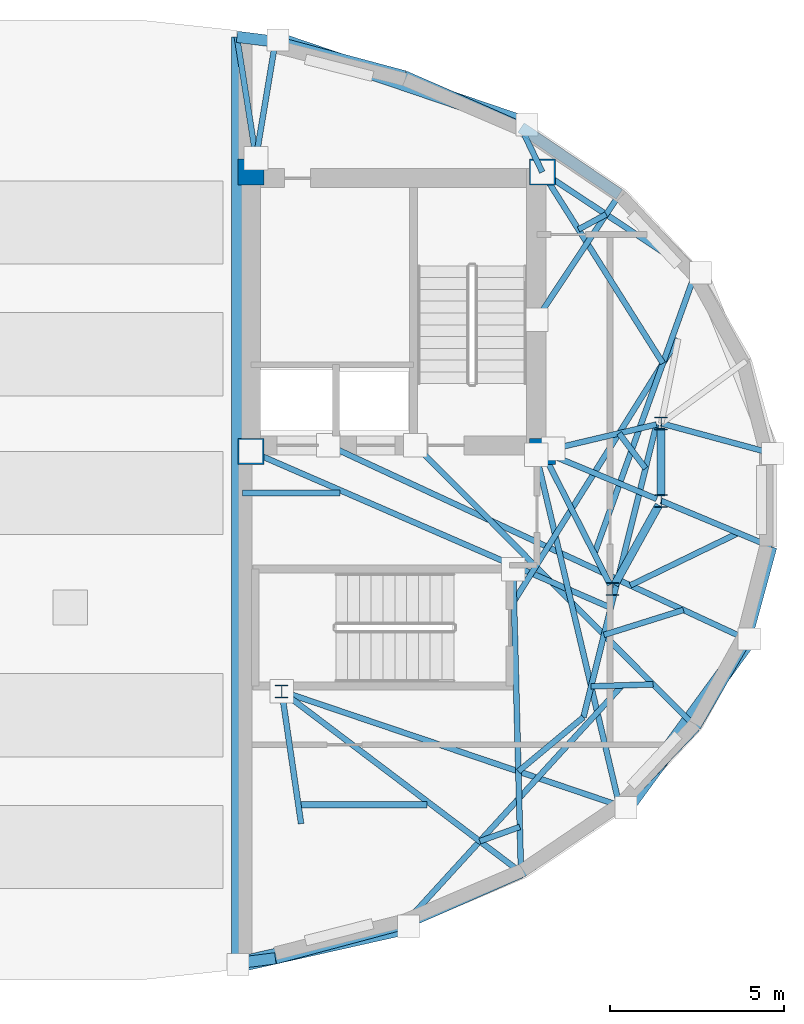
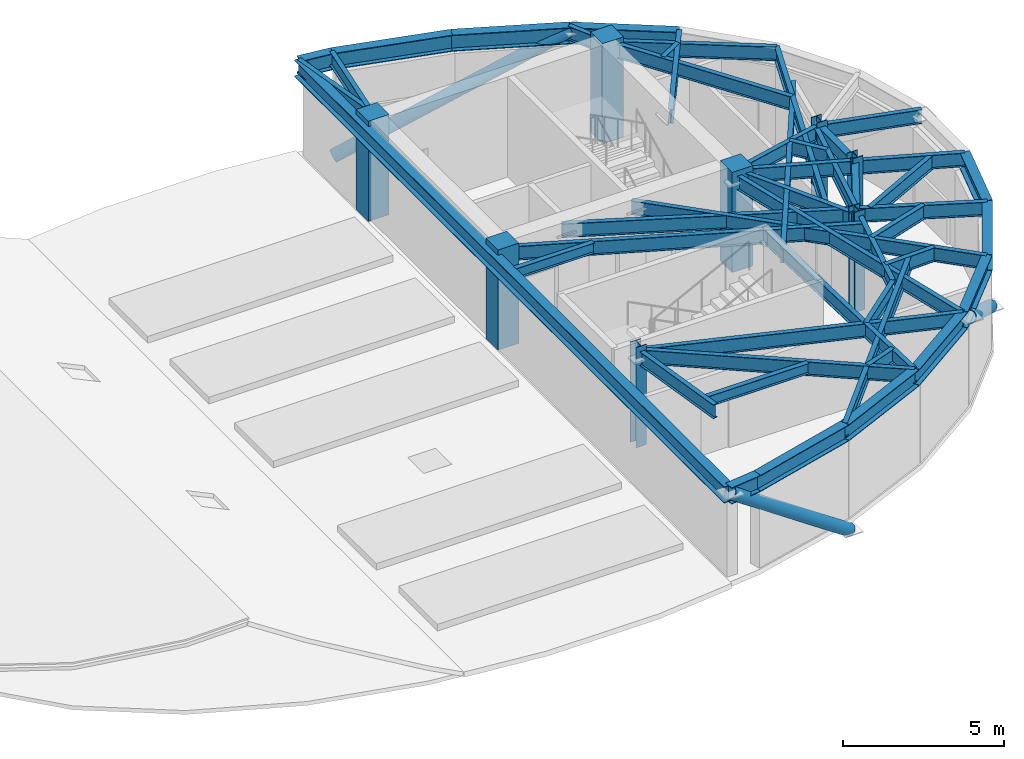
# One storey, part 1 of 5: 46 beams, 8 columns, 3 members.
"""IFC4 building model written with IfcOpenShell, lengths in metres."""

from ifc_helpers import new_model, si_unit, direction, frame, origin, origin_2d, place, context, subcontext, project, spatial, rectangle, hollow_circle, i_section, extrude, material, material_profile, profile_set, type_object, element, save


model = new_model("IFC4")

# Units and contexts
model_context = context("Model", 3, precision=1e-05, world=origin(), true_north=direction((0.0, 1.0)))
body_context = subcontext(model_context, "Body", "Model", "MODEL_VIEW")
ifc_project = project(units=[si_unit("LENGTHUNIT", "METRE"), si_unit("AREAUNIT", "SQUARE_METRE"), si_unit("VOLUMEUNIT", "CUBIC_METRE"), si_unit("PLANEANGLEUNIT", "RADIAN"), si_unit("MASSUNIT", "GRAM", prefix="KILO")], contexts=[model_context])

# Site, building, storey
site_placement = place(None, origin())
site = spatial("IfcSite", under=ifc_project, at=site_placement, CompositionType="ELEMENT")
building_placement = place(site_placement, origin())
building = spatial("IfcBuilding", under=site, at=building_placement, Name="Keldmark Tower", CompositionType="ELEMENT")
storey_placement = place(building_placement, frame((0.0, 0.0, 284.39990234375)))
storey = spatial("IfcBuildingStorey", under=building, at=storey_placement, Name="L80", CompositionType="ELEMENT", Elevation=284.39990234375)

# Columns
ifc_material_1 = material(Name="Concrete C50/60", Category="concrete")
ifc_material_profile_1 = material_profile(ifc_material_1, rectangle(XDim=0.75, YDim=0.75, at=origin_2d()), Name="RC750X750")
ifc_profile_set_1 = profile_set([ifc_material_profile_1], Name="Concrete C50/60")
column_type_1 = type_object("IfcColumnType", Name="Core Boundary Column RC750", PredefinedType="PILASTER", material=ifc_profile_set_1)
for number, where, z_axis, x_axis, name in (
    (1, (5.199951171875, 1.39990234375, 0.0), (0.0, 0.0, 1.0), (1.0, 0.0, 0.0), "L80 Core Boundary Column CC-E1"),
    (2, (5.199951171875, 9.449951171875, 0.0), (0.0, 0.0, 1.0), (1.0, 0.0, 0.0), "L80 Core Boundary Column CC-E2"),
    (3, (13.60009765625, 1.39990234375, 0.0), (0.0, 0.0, 1.0), (1.0, 0.0, 0.0), "L80 Core Boundary Column CC-E3"),
    (4, (13.60009765625, 9.449951171875, 0.0), (0.0, 0.0, 1.0), (1.0, 0.0, 0.0), "L80 Core Boundary Column CC-E4"),
):
    element("IfcColumn", number, at=place(storey_placement, frame(where, z_axis=z_axis, x_axis=x_axis)), inside=storey, type_object=column_type_1, Name=name, PredefinedType="PILASTER", context=body_context, shape_type="SweptSolid", body=[
        extrude(rectangle(XDim=0.75, YDim=0.75, at=origin_2d()), origin(), (0.0, 0.0, 1.0), 3.800048828125),
    ])
ifc_material_2 = material(Name="Steel ASTM A992 Grade 50", Category="steel")
ifc_material_profile_2 = material_profile(ifc_material_2, i_section(OverallWidth=0.3740234375, OverallDepth=0.3720703125, WebThickness=0.016357421875, FlangeThickness=0.026123046875, at=origin_2d()), Name="W14X132")
ifc_profile_set_2 = profile_set([ifc_material_profile_2], Name="Steel ASTM A992 Grade 50")
column_type_2 = type_object("IfcColumnType", Name="Tower Gravity Column W14X132", PredefinedType="COLUMN", material=ifc_profile_set_2)
for number, where, z_axis, x_axis, name in (
    (5, (17.025634765625, 2.2080078125, 0.0), (0.0, 0.0, 1.0), (1.0, 0.0, 0.0), "L80 Tower Gravity Column TC-E1"),
    (6, (6.089599609375, -5.512939453125, 0.0), (0.0, 0.0, 1.0), (1.0, 0.0, 0.0), "L80 Tower Gravity Column TC-E3"),
    (7, (15.6162109375, -2.5673828125, 0.0), (0.0, 0.0, 1.0), (1.0, 0.0, 0.0), "L80 Tower Gravity Column TC-E2"),
    (8, (17.025634765625, -0.02392578125, 0.0), (0.0, 0.0, 1.0), (1.0, 0.0, 0.0), "L80 Tower Gravity Column TC-E5"),
):
    element("IfcColumn", number, at=place(storey_placement, frame(where, z_axis=z_axis, x_axis=x_axis)), inside=storey, type_object=column_type_2, Name=name, PredefinedType="COLUMN", context=body_context, shape_type="SweptSolid", body=[
        extrude(i_section(OverallWidth=0.3740234375, OverallDepth=0.3720703125, WebThickness=0.016357421875, FlangeThickness=0.026123046875, at=origin_2d()), origin(), (0.0, 0.0, 1.0), 3.800048828125),
    ])

# Beams
ifc_material_3 = material(Name="Steel ASTM A992 Grade 50", Category="steel")
ifc_material_profile_3 = material_profile(ifc_material_3, i_section(OverallWidth=0.177978515625, OverallDepth=0.403076171875, WebThickness=0.007568359375, FlangeThickness=0.010986328125, at=origin_2d()), Name="W16X36")
ifc_profile_set_3 = profile_set([ifc_material_profile_3], Name="Steel ASTM A992 Grade 50")
beam_type_1 = type_object("IfcBeamType", Name="Composite Floor Joist W16X36", PredefinedType="JOIST", material=ifc_profile_set_3)
beam_1_placement = place(storey_placement, frame((6.644775390625, -8.780029296875, 3.398681640625), z_axis=(1.0, 0.0, 0.0), x_axis=(0.0, 1.0, 0.0)))
element("IfcBeam", 9, at=beam_1_placement, inside=storey, type_object=beam_type_1, Name="L80 Composite Floor Joist J01", PredefinedType="JOIST", context=body_context, shape_type="SweptSolid", body=[
    extrude(i_section(OverallWidth=0.177978515625, OverallDepth=0.403076171875, WebThickness=0.007568359375, FlangeThickness=0.010986328125, at=origin_2d()), origin(), (0.0, 0.0, 1.0), 3.634033203125),
])
beam_2_placement = place(storey_placement, frame((4.95458984375, 0.199951171875, 3.398681640625), z_axis=(1.0, 0.0, 0.0), x_axis=(0.0, 1.0, 0.0)))
element("IfcBeam", 10, at=beam_2_placement, inside=storey, type_object=beam_type_1, Name="L80 Composite Floor Joist J02", PredefinedType="JOIST", context=body_context, shape_type="SweptSolid", body=[
    extrude(i_section(OverallWidth=0.177978515625, OverallDepth=0.403076171875, WebThickness=0.007568359375, FlangeThickness=0.010986328125, at=origin_2d()), origin(), (0.0, 0.0, 1.0), 2.81201171875),
])

# Members
ifc_material_4 = material(Name="Steel ASTM A572 Grade 50", Category="steel")
ifc_material_profile_4 = material_profile(ifc_material_4, hollow_circle(Radius=0.22509765625, WallThickness=0.02197265625, at=origin_2d()), Name="CHS450X22")
ifc_profile_set_4 = profile_set([ifc_material_profile_4], Name="Steel ASTM A572 Grade 50")
member_type = type_object("IfcMemberType", Name="Crown Frame Brace CHS450X22", PredefinedType="USERDEFINED", material=ifc_profile_set_4)
member_1_placement = place(storey_placement, frame((5.980224609375, 13.25341796875, -0.449951171875), z_axis=(0.846450877369, -0.287648783004, 0.448083797784), x_axis=(0.321757828293, 0.946822000131, 0.0)))
element("IfcMember", 11, at=member_1_placement, inside=storey, type_object=member_type, Name="L80 Crown Frame Diagonal E00", ObjectType="CROWN FRAME", PredefinedType="USERDEFINED", context=body_context, shape_type="SweptSolid", body=[
    extrude(hollow_circle(Radius=0.22509765625, WallThickness=0.02197265625, at=origin_2d()), origin(), (0.0, 0.0, 1.0), 8.480712890625),
])
member_2_placement = place(storey_placement, frame((19.566650390625, -4.00341796875, -0.449951171875), z_axis=(-0.498767023206, -0.682954584123, 0.533670771719), x_axis=(0.807568620979, -0.589773619629, 0.0)))
element("IfcMember", 12, at=member_2_placement, inside=storey, type_object=member_type, Name="L80 Crown Frame Diagonal E08", ObjectType="CROWN FRAME", PredefinedType="USERDEFINED", context=body_context, shape_type="SweptSolid", body=[
    extrude(hollow_circle(Radius=0.22509765625, WallThickness=0.02197265625, at=origin_2d()), origin(), (0.0, 0.0, 1.0), 7.12060546875),
])
member_3_placement = place(storey_placement, frame((9.744140625, -12.28564453125, -0.449951171875), z_axis=(-0.778713754743, -0.174995769221, 0.602479351455), x_axis=(0.219255997522, -0.975667365218, 0.0)))
element("IfcMember", 13, at=member_3_placement, inside=storey, type_object=member_type, Name="L80 Crown Frame Diagonal E12", ObjectType="CROWN FRAME", PredefinedType="USERDEFINED", context=body_context, shape_type="SweptSolid", body=[
    extrude(hollow_circle(Radius=0.22509765625, WallThickness=0.02197265625, at=origin_2d()), origin(), (0.0, 0.0, 1.0), 6.307373046875),
])

# Beams
ifc_material_5 = material(Name="Steel ASTM A992 Grade 50", Category="steel")
ifc_material_profile_5 = material_profile(ifc_material_5, i_section(OverallWidth=0.22802734375, OverallDepth=0.60302734375, WebThickness=0.010498046875, FlangeThickness=0.014892578125, at=origin_2d()), Name="W24X68")
ifc_profile_set_5 = profile_set([ifc_material_profile_5], Name="Steel ASTM A992 Grade 50")
beam_type_2 = type_object("IfcBeamType", Name="Primary Floor Girder W24X68", PredefinedType="BEAM", material=ifc_profile_set_5)
beam_3_placement = place(storey_placement, frame((15.68408203125, -2.44482421875, 3.298583984375), z_axis=(0.484719680408, 0.874669555561, 0.0), x_axis=(-0.874669555561, 0.484719680408, 0.0)))
element("IfcBeam", 14, at=beam_3_placement, inside=storey, type_object=beam_type_2, Name="L80 Floor Ring Girder FG-R03", PredefinedType="BEAM", context=body_context, shape_type="SweptSolid", body=[
    extrude(i_section(OverallWidth=0.22802734375, OverallDepth=0.60302734375, WebThickness=0.010498046875, FlangeThickness=0.014892578125, at=origin_2d()), origin(), (0.0, 0.0, 1.0), 2.627685546875),
])
beam_4_placement = place(storey_placement, frame((17.025634765625, 0.115966796875, 3.298583984375), z_axis=(0.0, 1.0, 0.0), x_axis=(-1.0, 0.0, 0.0)))
element("IfcBeam", 15, at=beam_4_placement, inside=storey, type_object=beam_type_2, Name="L80 Floor Ring Girder FG-R04", PredefinedType="BEAM", context=body_context, shape_type="SweptSolid", body=[
    extrude(i_section(OverallWidth=0.22802734375, OverallDepth=0.60302734375, WebThickness=0.010498046875, FlangeThickness=0.014892578125, at=origin_2d()), origin(), (0.0, 0.0, 1.0), 1.9521484375),
])
ifc_material_6 = material(Name="Steel ASTM A992 Grade 50", Category="steel")
ifc_material_profile_6 = material_profile(ifc_material_6, i_section(OverallWidth=0.166015625, OverallDepth=0.529052734375, WebThickness=0.009765625, FlangeThickness=0.013671875, at=origin_2d()), Name="W21X50")
ifc_profile_set_6 = profile_set([ifc_material_profile_6], Name="Steel ASTM A992 Grade 50")
beam_type_3 = type_object("IfcBeamType", Name="Radial Tie Girder W21X50", PredefinedType="BEAM", material=ifc_profile_set_6)
beam_5_placement = place(storey_placement, frame((16.889404296875, 2.17578125, 3.335693359375), z_axis=(-0.97329039005, -0.229577474147, 0.0), x_axis=(0.229577474147, -0.97329039005, 0.0)))
element("IfcBeam", 16, at=beam_5_placement, inside=storey, type_object=beam_type_3, Name="L80 Floor Radial Girder FG-C01", PredefinedType="BEAM", context=body_context, shape_type="SweptSolid", body=[
    extrude(i_section(OverallWidth=0.166015625, OverallDepth=0.529052734375, WebThickness=0.009765625, FlangeThickness=0.013671875, at=origin_2d()), origin(), (0.0, 0.0, 1.0), 3.0595703125),
])
beam_6_placement = place(storey_placement, frame((15.552734375, -2.442626953125, 3.335693359375), z_axis=(-0.453004410574, 0.89150827478, 0.0), x_axis=(-0.89150827478, -0.453004410574, 0.0)))
element("IfcBeam", 17, at=beam_6_placement, inside=storey, type_object=beam_type_3, Name="L80 Floor Radial Girder FG-C11", PredefinedType="BEAM", context=body_context, shape_type="SweptSolid", body=[
    extrude(i_section(OverallWidth=0.166015625, OverallDepth=0.529052734375, WebThickness=0.009765625, FlangeThickness=0.013671875, at=origin_2d()), origin(), (0.0, 0.0, 1.0), 3.990234375),
])
beam_7_placement = place(storey_placement, frame((16.896240234375, 0.02978515625, 3.335693359375), z_axis=(-0.923403331902, 0.383831065226, 0.0), x_axis=(-0.383831065226, -0.923403331902, 0.0)))
element("IfcBeam", 18, at=beam_7_placement, inside=storey, type_object=beam_type_3, Name="L80 Floor Radial Girder FG-C12", PredefinedType="BEAM", context=body_context, shape_type="SweptSolid", body=[
    extrude(i_section(OverallWidth=0.166015625, OverallDepth=0.529052734375, WebThickness=0.009765625, FlangeThickness=0.013671875, at=origin_2d()), origin(), (0.0, 0.0, 1.0), 3.249755859375),
])
beam_8_placement = place(storey_placement, frame((5.199951171875, 1.39990234375, 3.335693359375), z_axis=(0.917205574397, -0.398414274714, 0.0), x_axis=(0.398414274714, 0.917205574397, 0.0)))
element("IfcBeam", 19, at=beam_8_placement, inside=storey, type_object=beam_type_3, Name="L80 Framing Pin Header PH-001", PredefinedType="BEAM", context=body_context, shape_type="SweptSolid", body=[
    extrude(i_section(OverallWidth=0.166015625, OverallDepth=0.529052734375, WebThickness=0.009765625, FlangeThickness=0.013671875, at=origin_2d()), origin(), (0.0, 0.0, 1.0), 11.308837890625),
])
beam_9_placement = place(storey_placement, frame((16.889404296875, 2.17578125, 3.335693359375), z_axis=(-0.241901242777, -0.97030087537, 0.0), x_axis=(0.97030087537, -0.241901242777, 0.0)))
element("IfcBeam", 20, at=beam_9_placement, inside=storey, type_object=beam_type_3, Name="L80 Sub-Ring Step Girder STP1-E07", PredefinedType="BEAM", context=body_context, shape_type="SweptSolid", body=[
    extrude(i_section(OverallWidth=0.166015625, OverallDepth=0.529052734375, WebThickness=0.009765625, FlangeThickness=0.013671875, at=origin_2d()), origin(), (0.0, 0.0, 1.0), 8.69384765625),
])
beam_10_placement = place(storey_placement, frame((16.573974609375, 0.91064453125, 3.335693359375), z_axis=(-0.601541793484, 0.79884133011, 0.0), x_axis=(-0.79884133011, -0.601541793484, 0.0)))
element("IfcBeam", 21, at=beam_10_placement, inside=storey, type_object=beam_type_3, Name="L80 Framing Pin Header PH-002", PredefinedType="BEAM", context=body_context, shape_type="SweptSolid", body=[
    extrude(i_section(OverallWidth=0.166015625, OverallDepth=0.529052734375, WebThickness=0.009765625, FlangeThickness=0.013671875, at=origin_2d()), origin(), (0.0, 0.0, 1.0), 1.265869140625),
])
beam_11_placement = place(storey_placement, frame((12.659912109375, -3.11328125, 3.335693359375), z_axis=(0.530658276736, 0.847585861923, 0.0), x_axis=(-0.847585861923, 0.530658276736, 0.0)))
element("IfcBeam", 22, at=beam_11_placement, inside=storey, type_object=beam_type_3, Name="L80 Intermediate Radial Step Girder CRT-E05M", PredefinedType="BEAM", context=body_context, shape_type="SweptSolid", body=[
    extrude(i_section(OverallWidth=0.166015625, OverallDepth=0.529052734375, WebThickness=0.009765625, FlangeThickness=0.013671875, at=origin_2d()), origin(), (0.0, 0.0, 1.0), 9.15087890625),
])
beam_12_placement = place(storey_placement, frame((13.60009765625, 9.449951171875, 3.335693359375), z_axis=(0.533490957867, -0.845805768409, 0.0), x_axis=(0.845805768409, 0.533490957867, 0.0)))
element("IfcBeam", 23, at=beam_12_placement, inside=storey, type_object=beam_type_3, Name="L80 Framing Pin Header PH-003", PredefinedType="BEAM", context=body_context, shape_type="SweptSolid", body=[
    extrude(i_section(OverallWidth=0.166015625, OverallDepth=0.529052734375, WebThickness=0.009765625, FlangeThickness=0.013671875, at=origin_2d()), origin(), (0.0, 0.0, 1.0), 6.514892578125),
])
beam_13_placement = place(storey_placement, frame((15.100830078125, -1.55322265625, 3.335693359375), z_axis=(0.338316746334, 0.941032294425, 0.0), x_axis=(-0.941032294425, 0.338316746334, 0.0)))
element("IfcBeam", 24, at=beam_13_placement, inside=storey, type_object=beam_type_3, Name="L80 Perimeter Radial Tie Girder CRT-E05", PredefinedType="BEAM", context=body_context, shape_type="SweptSolid", body=[
    extrude(i_section(OverallWidth=0.166015625, OverallDepth=0.529052734375, WebThickness=0.009765625, FlangeThickness=0.013671875, at=origin_2d()), origin(), (0.0, 0.0, 1.0), 8.58740234375),
])
beam_14_placement = place(storey_placement, frame((17.025634765625, 2.2080078125, 3.335693359375), z_axis=(0.965293092501, -0.261168998102, 0.0), x_axis=(0.261168998102, 0.965293092501, 0.0)))
element("IfcBeam", 25, at=beam_14_placement, inside=storey, type_object=beam_type_3, Name="L80 Perimeter Column Bracket CRT-E07", PredefinedType="BEAM", context=body_context, shape_type="SweptSolid", body=[
    extrude(i_section(OverallWidth=0.166015625, OverallDepth=0.529052734375, WebThickness=0.009765625, FlangeThickness=0.013671875, at=origin_2d()), origin(), (0.0, 0.0, 1.0), 3.28759765625),
])
beam_15_placement = place(storey_placement, frame((17.025634765625, -0.02392578125, 3.335693359375), z_axis=(0.922755270892, -0.385386442471, 0.0), x_axis=(0.385386442471, 0.922755270892, 0.0)))
element("IfcBeam", 26, at=beam_15_placement, inside=storey, type_object=beam_type_3, Name="L80 Perimeter Column Bracket CRT-E08", PredefinedType="BEAM", context=body_context, shape_type="SweptSolid", body=[
    extrude(i_section(OverallWidth=0.166015625, OverallDepth=0.529052734375, WebThickness=0.009765625, FlangeThickness=0.013671875, at=origin_2d()), origin(), (0.0, 0.0, 1.0), 3.439208984375),
])
beam_16_placement = place(storey_placement, frame((19.247314453125, -0.95166015625, 3.335693359375), z_axis=(-0.89973090598, -0.436445067362, 0.0), x_axis=(0.436445067362, -0.89973090598, 0.0)))
element("IfcBeam", 27, at=beam_16_placement, inside=storey, type_object=beam_type_3, Name="L80 Framing Pin Header PH-004", PredefinedType="BEAM", context=body_context, shape_type="SweptSolid", body=[
    extrude(i_section(OverallWidth=0.166015625, OverallDepth=0.529052734375, WebThickness=0.009765625, FlangeThickness=0.013671875, at=origin_2d()), origin(), (0.0, 0.0, 1.0), 3.45654296875),
])
beam_17_placement = place(storey_placement, frame((7.43212890625, 1.574951171875, 3.335693359375), z_axis=(0.907269010235, -0.420550761582, 0.0), x_axis=(0.420550761582, 0.907269010235, 0.0)))
element("IfcBeam", 28, at=beam_17_placement, inside=storey, type_object=beam_type_3, Name="L80 Perimeter Radial Tie Girder CRT-E09", PredefinedType="BEAM", context=body_context, shape_type="SweptSolid", body=[
    extrude(i_section(OverallWidth=0.166015625, OverallDepth=0.529052734375, WebThickness=0.009765625, FlangeThickness=0.013671875, at=origin_2d()), origin(), (0.0, 0.0, 1.0), 13.27197265625),
])
beam_18_placement = place(storey_placement, frame((17.667236328125, -3.16943359375, 3.335693359375), z_axis=(-0.954149906276, -0.299329177251, 0.0), x_axis=(0.299329177251, -0.954149906276, 0.0)))
element("IfcBeam", 29, at=beam_18_placement, inside=storey, type_object=beam_type_3, Name="L80 Framing Pin Header PH-005", PredefinedType="BEAM", context=body_context, shape_type="SweptSolid", body=[
    extrude(i_section(OverallWidth=0.166015625, OverallDepth=0.529052734375, WebThickness=0.009765625, FlangeThickness=0.013671875, at=origin_2d()), origin(), (0.0, 0.0, 1.0), 2.399658203125),
])
beam_19_placement = place(storey_placement, frame((9.939208984375, 1.574951171875, 3.335693359375), z_axis=(0.705535616728, -0.708674462308, 0.0), x_axis=(0.708674462308, 0.705535616728, 0.0)))
element("IfcBeam", 30, at=beam_19_placement, inside=storey, type_object=beam_type_3, Name="L80 Perimeter Radial Tie Girder CRT-E10", PredefinedType="BEAM", context=body_context, shape_type="SweptSolid", body=[
    extrude(i_section(OverallWidth=0.166015625, OverallDepth=0.529052734375, WebThickness=0.009765625, FlangeThickness=0.013671875, at=origin_2d()), origin(), (0.0, 0.0, 1.0), 11.433837890625),
])
beam_20_placement = place(storey_placement, frame((16.796142578125, -5.3125, 3.335693359375), z_axis=(-0.999463675377, -0.032746932709, 0.0), x_axis=(0.032746932709, -0.999463675377, 0.0)))
element("IfcBeam", 31, at=beam_20_placement, inside=storey, type_object=beam_type_3, Name="L80 Framing Pin Header PH-006", PredefinedType="BEAM", context=body_context, shape_type="SweptSolid", body=[
    extrude(i_section(OverallWidth=0.166015625, OverallDepth=0.529052734375, WebThickness=0.009765625, FlangeThickness=0.013671875, at=origin_2d()), origin(), (0.0, 0.0, 1.0), 1.789306640625),
])
beam_21_placement = place(storey_placement, frame((13.425048828125, 1.300048828125, 3.335693359375), z_axis=(0.230855797786, -0.972987975583, 0.0), x_axis=(0.972987975583, 0.230855797786, 0.0)))
element("IfcBeam", 32, at=beam_21_placement, inside=storey, type_object=beam_type_3, Name="L80 Perimeter Radial Tie Girder CRT-E11", PredefinedType="BEAM", context=body_context, shape_type="SweptSolid", body=[
    extrude(i_section(OverallWidth=0.166015625, OverallDepth=0.529052734375, WebThickness=0.009765625, FlangeThickness=0.013671875, at=origin_2d()), origin(), (0.0, 0.0, 1.0), 10.38818359375),
])
beam_22_placement = place(storey_placement, frame((18.006103515625, 6.52783203125, 3.335693359375), z_axis=(-0.833376416805, 0.55270584212, 0.0), x_axis=(-0.55270584212, -0.833376416805, 0.0)))
element("IfcBeam", 33, at=beam_22_placement, inside=storey, type_object=beam_type_3, Name="L80 Straddling Support Chord CRT-E04RB", PredefinedType="BEAM", context=body_context, shape_type="SweptSolid", body=[
    extrude(i_section(OverallWidth=0.166015625, OverallDepth=0.529052734375, WebThickness=0.009765625, FlangeThickness=0.013671875, at=origin_2d()), origin(), (0.0, 0.0, 1.0), 5.286865234375),
])
beam_23_placement = place(storey_placement, frame((14.642578125, 7.796875, 3.335693359375), z_axis=(0.878850207987, 0.477097801213, 0.0), x_axis=(-0.477097801213, 0.878850207987, 0.0)))
element("IfcBeam", 34, at=beam_23_placement, inside=storey, type_object=beam_type_3, Name="L80 Framing Pin Header PH-007", PredefinedType="BEAM", context=body_context, shape_type="SweptSolid", body=[
    extrude(i_section(OverallWidth=0.166015625, OverallDepth=0.529052734375, WebThickness=0.009765625, FlangeThickness=0.013671875, at=origin_2d()), origin(), (0.0, 0.0, 1.0), 0.9072265625),
])
beam_24_placement = place(storey_placement, frame((13.425048828125, 5.191650390625, 3.335693359375), z_axis=(0.552711952779, 0.833372364106, 0.0), x_axis=(-0.833372364106, 0.552711952779, 0.0)))
element("IfcBeam", 35, at=beam_24_placement, inside=storey, type_object=beam_type_3, Name="L80 Perimeter Radial Tie Girder CRT-E04R", PredefinedType="BEAM", context=body_context, shape_type="SweptSolid", body=[
    extrude(i_section(OverallWidth=0.166015625, OverallDepth=0.529052734375, WebThickness=0.009765625, FlangeThickness=0.013671875, at=origin_2d()), origin(), (0.0, 0.0, 1.0), 4.3388671875),
])
beam_25_placement = place(storey_placement, frame((6.089599609375, -5.512939453125, 3.335693359375), z_axis=(0.947209642654, -0.320614866879, 0.0), x_axis=(0.320614866879, 0.947209642654, 0.0)))
element("IfcBeam", 36, at=beam_25_placement, inside=storey, type_object=beam_type_3, Name="L80 Straddling Support Chord CRT-E12RB", PredefinedType="BEAM", context=body_context, shape_type="SweptSolid", body=[
    extrude(i_section(OverallWidth=0.166015625, OverallDepth=0.529052734375, WebThickness=0.009765625, FlangeThickness=0.013671875, at=origin_2d()), origin(), (0.0, 0.0, 1.0), 10.276123046875),
])
beam_26_placement = place(storey_placement, frame((14.786376953125, -6.259765625, 3.335693359375), z_axis=(-0.768442586224, -0.639918738339, 0.0), x_axis=(0.639918738339, -0.768442586224, 0.0)))
element("IfcBeam", 37, at=beam_26_placement, inside=storey, type_object=beam_type_3, Name="L80 Framing Pin Header PH-008", PredefinedType="BEAM", context=body_context, shape_type="SweptSolid", body=[
    extrude(i_section(OverallWidth=0.166015625, OverallDepth=0.529052734375, WebThickness=0.009765625, FlangeThickness=0.013671875, at=origin_2d()), origin(), (0.0, 0.0, 1.0), 2.44091796875),
])
beam_27_placement = place(storey_placement, frame((12.760009765625, -1.989990234375, 3.335693359375), z_axis=(0.025823601613, -0.999666515194, 0.0), x_axis=(0.999666515194, 0.025823601613, 0.0)))
element("IfcBeam", 38, at=beam_27_placement, inside=storey, type_object=beam_type_3, Name="L80 Perimeter Radial Tie Girder CRT-E12R", PredefinedType="BEAM", context=body_context, shape_type="SweptSolid", body=[
    extrude(i_section(OverallWidth=0.166015625, OverallDepth=0.529052734375, WebThickness=0.009765625, FlangeThickness=0.013671875, at=origin_2d()), origin(), (0.0, 0.0, 1.0), 8.7451171875),
])
beam_28_placement = place(storey_placement, frame((6.089599609375, -5.512939453125, 3.335693359375), z_axis=(0.797380686518, -0.603476628187, 0.0), x_axis=(0.603476628187, 0.797380686518, 0.0)))
element("IfcBeam", 39, at=beam_28_placement, inside=storey, type_object=beam_type_3, Name="L80 Straddling Support Chord CRT-E13RB", PredefinedType="BEAM", context=body_context, shape_type="SweptSolid", body=[
    extrude(i_section(OverallWidth=0.166015625, OverallDepth=0.529052734375, WebThickness=0.009765625, FlangeThickness=0.013671875, at=origin_2d()), origin(), (0.0, 0.0, 1.0), 8.648681640625),
])
beam_29_placement = place(storey_placement, frame((12.951904296875, -9.4208984375, 3.335693359375), z_axis=(-0.941584009387, -0.33677819595, 0.0), x_axis=(0.33677819595, -0.941584009387, 0.0)))
element("IfcBeam", 40, at=beam_29_placement, inside=storey, type_object=beam_type_3, Name="L80 Framing Pin Header PH-009", PredefinedType="BEAM", context=body_context, shape_type="SweptSolid", body=[
    extrude(i_section(OverallWidth=0.166015625, OverallDepth=0.529052734375, WebThickness=0.009765625, FlangeThickness=0.013671875, at=origin_2d()), origin(), (0.0, 0.0, 1.0), 1.22509765625),
])
beam_30_placement = place(storey_placement, frame((15.90185546875, -5.341796875, 3.335693359375), z_axis=(-0.674501343517, -0.738273619733, 0.0), x_axis=(0.738273619733, -0.674501343517, 0.0)))
element("IfcBeam", 41, at=beam_30_placement, inside=storey, type_object=beam_type_3, Name="L80 Perimeter Radial Tie Girder CRT-E13R", PredefinedType="BEAM", context=body_context, shape_type="SweptSolid", body=[
    extrude(i_section(OverallWidth=0.166015625, OverallDepth=0.529052734375, WebThickness=0.009765625, FlangeThickness=0.013671875, at=origin_2d()), origin(), (0.0, 0.0, 1.0), 9.306640625),
])
beam_31_placement = place(storey_placement, frame((6.089599609375, -5.512939453125, 3.335693359375), z_axis=(0.145215033678, -0.98940011825, 0.0), x_axis=(0.98940011825, 0.145215033678, 0.0)))
element("IfcBeam", 42, at=beam_31_placement, inside=storey, type_object=beam_type_3, Name="L80 Column Step Bracket CRT-E14RS", PredefinedType="BEAM", context=body_context, shape_type="SweptSolid", body=[
    extrude(i_section(OverallWidth=0.166015625, OverallDepth=0.529052734375, WebThickness=0.009765625, FlangeThickness=0.013671875, at=origin_2d()), origin(), (0.0, 0.0, 1.0), 3.85498046875),
])
beam_32_placement = place(storey_placement, frame((5.35009765625, 9.85009765625, 3.335693359375), z_axis=(0.163677810351, 0.986513849066, 0.0), x_axis=(-0.986513849066, 0.163677810351, 0.0)))
element("IfcBeam", 43, at=beam_32_placement, inside=storey, type_object=beam_type_3, Name="L80 East Crown Shear-Wall Bracket CRT-E01G", PredefinedType="BEAM", context=body_context, shape_type="SweptSolid", body=[
    extrude(i_section(OverallWidth=0.166015625, OverallDepth=0.529052734375, WebThickness=0.009765625, FlangeThickness=0.013671875, at=origin_2d()), origin(), (0.0, 0.0, 1.0), 3.40380859375),
])
beam_33_placement = place(storey_placement, frame((5.35009765625, 9.85009765625, 3.335693359375), z_axis=(-0.1553887936, 0.987853391361, 0.0), x_axis=(-0.987853391361, -0.1553887936, 0.0)))
element("IfcBeam", 44, at=beam_33_placement, inside=storey, type_object=beam_type_3, Name="L80 East Crown Shear-Wall Bracket CRT-E16G", PredefinedType="BEAM", context=body_context, shape_type="SweptSolid", body=[
    extrude(i_section(OverallWidth=0.166015625, OverallDepth=0.529052734375, WebThickness=0.009765625, FlangeThickness=0.013671875, at=origin_2d()), origin(), (0.0, 0.0, 1.0), 3.539794921875),
])
beam_34_placement = place(storey_placement, frame((13.60009765625, 9.449951171875, 3.335693359375), z_axis=(-0.432038714857, 0.901855059788, 0.0), x_axis=(-0.901855059788, -0.432038714857, 0.0)))
element("IfcBeam", 45, at=beam_34_placement, inside=storey, type_object=beam_type_3, Name="L80 Perimeter Column Bracket CRT-E03G", PredefinedType="BEAM", context=body_context, shape_type="SweptSolid", body=[
    extrude(i_section(OverallWidth=0.166015625, OverallDepth=0.529052734375, WebThickness=0.009765625, FlangeThickness=0.013671875, at=origin_2d()), origin(), (0.0, 0.0, 1.0), 1.421875),
])
ifc_material_7 = material(Name="Steel ASTM A992 Grade 50", Category="steel")
ifc_material_profile_7 = material_profile(ifc_material_7, i_section(OverallWidth=0.326904296875, OverallDepth=0.6220703125, WebThickness=0.015380859375, FlangeThickness=0.0244140625, at=origin_2d()), Name="W24X131")
ifc_profile_set_7 = profile_set([ifc_material_profile_7], Name="Steel ASTM A992 Grade 50")
beam_type_4 = type_object("IfcBeamType", Name="Spandrel Ring Beam W24X131", PredefinedType="SPANDREL", material=ifc_profile_set_7)
beam_35_placement = place(storey_placement, frame((5.9072265625, 13.2080078125, 3.2890625), z_axis=(0.965970132873, -0.258653634029, 0.0), x_axis=(0.258653634029, 0.965970132873, 0.0)))
element("IfcBeam", 46, at=beam_35_placement, inside=storey, type_object=beam_type_4, Name="L80 Crown Spandrel Ring Beam CRB-E01", PredefinedType="SPANDREL", context=body_context, shape_type="SweptSolid", body=[
    extrude(i_section(OverallWidth=0.326904296875, OverallDepth=0.6220703125, WebThickness=0.015380859375, FlangeThickness=0.0244140625, at=origin_2d()), origin(), (0.0, 0.0, 1.0), 3.84814453125),
])
beam_36_placement = place(storey_placement, frame((9.62451171875, 12.212646484375, 3.2890625), z_axis=(0.915165990316, -0.403077176443, 0.0), x_axis=(0.403077176443, 0.915165990316, 0.0)))
element("IfcBeam", 47, at=beam_36_placement, inside=storey, type_object=beam_type_4, Name="L80 Crown Spandrel Ring Beam CRB-E02", PredefinedType="SPANDREL", context=body_context, shape_type="SweptSolid", body=[
    extrude(i_section(OverallWidth=0.326904296875, OverallDepth=0.6220703125, WebThickness=0.015380859375, FlangeThickness=0.0244140625, at=origin_2d()), origin(), (0.0, 0.0, 1.0), 3.6728515625),
])
beam_37_placement = place(storey_placement, frame((12.98583984375, 10.732177734375, 3.2890625), z_axis=(0.827586831244, -0.561337720762, 0.0), x_axis=(0.561337720762, 0.827586831244, 0.0)))
element("IfcBeam", 48, at=beam_37_placement, inside=storey, type_object=beam_type_4, Name="L80 Crown Spandrel Ring Beam CRB-E03", PredefinedType="SPANDREL", context=body_context, shape_type="SweptSolid", body=[
    extrude(i_section(OverallWidth=0.326904296875, OverallDepth=0.6220703125, WebThickness=0.015380859375, FlangeThickness=0.0244140625, at=origin_2d()), origin(), (0.0, 0.0, 1.0), 3.428466796875),
])
beam_38_placement = place(storey_placement, frame((20.19921875, -1.349365234375, 3.2890625), z_axis=(-0.263499861822, -0.964659433593, 0.0), x_axis=(0.964659433593, -0.263499861822, 0.0)))
element("IfcBeam", 49, at=beam_38_placement, inside=storey, type_object=beam_type_4, Name="L80 Crown Spandrel Ring Beam CRB-E08", PredefinedType="SPANDREL", context=body_context, shape_type="SweptSolid", body=[
    extrude(i_section(OverallWidth=0.326904296875, OverallDepth=0.6220703125, WebThickness=0.015380859375, FlangeThickness=0.0244140625, at=origin_2d()), origin(), (0.0, 0.0, 1.0), 2.754638671875),
])
beam_39_placement = place(storey_placement, frame((19.473388671875, -4.006591796875, 3.2890625), z_axis=(-0.502991343688, -0.86429144863, 0.0), x_axis=(0.86429144863, -0.502991343688, 0.0)))
element("IfcBeam", 50, at=beam_39_placement, inside=storey, type_object=beam_type_4, Name="L80 Crown Spandrel Ring Beam CRB-E09", PredefinedType="SPANDREL", context=body_context, shape_type="SweptSolid", body=[
    extrude(i_section(OverallWidth=0.326904296875, OverallDepth=0.6220703125, WebThickness=0.015380859375, FlangeThickness=0.0244140625, at=origin_2d()), origin(), (0.0, 0.0, 1.0), 2.917236328125),
])
beam_40_placement = place(storey_placement, frame((18.006103515625, -6.52783203125, 3.2890625), z_axis=(-0.691586095732, -0.722294034442, 0.0), x_axis=(0.722294034442, -0.691586095732, 0.0)))
element("IfcBeam", 51, at=beam_40_placement, inside=storey, type_object=beam_type_4, Name="L80 Crown Spandrel Ring Beam CRB-E10", PredefinedType="SPANDREL", context=body_context, shape_type="SweptSolid", body=[
    extrude(i_section(OverallWidth=0.326904296875, OverallDepth=0.6220703125, WebThickness=0.015380859375, FlangeThickness=0.0244140625, at=origin_2d()), origin(), (0.0, 0.0, 1.0), 3.15625),
])
beam_41_placement = place(storey_placement, frame((15.8232421875, -8.8076171875, 3.2890625), z_axis=(-0.827586831244, -0.561337720762, 0.0), x_axis=(0.561337720762, -0.827586831244, 0.0)))
element("IfcBeam", 52, at=beam_41_placement, inside=storey, type_object=beam_type_4, Name="L80 Crown Spandrel Ring Beam CRB-E11", PredefinedType="SPANDREL", context=body_context, shape_type="SweptSolid", body=[
    extrude(i_section(OverallWidth=0.326904296875, OverallDepth=0.6220703125, WebThickness=0.015380859375, FlangeThickness=0.0244140625, at=origin_2d()), origin(), (0.0, 0.0, 1.0), 3.428466796875),
])
beam_42_placement = place(storey_placement, frame((12.98583984375, -10.732177734375, 3.2890625), z_axis=(-0.915165990316, -0.403077176443, 0.0), x_axis=(0.403077176443, -0.915165990316, 0.0)))
element("IfcBeam", 53, at=beam_42_placement, inside=storey, type_object=beam_type_4, Name="L80 Crown Spandrel Ring Beam CRB-E12", PredefinedType="SPANDREL", context=body_context, shape_type="SweptSolid", body=[
    extrude(i_section(OverallWidth=0.326904296875, OverallDepth=0.6220703125, WebThickness=0.015380859375, FlangeThickness=0.0244140625, at=origin_2d()), origin(), (0.0, 0.0, 1.0), 3.6728515625),
])
beam_43_placement = place(storey_placement, frame((9.62451171875, -12.212646484375, 3.2890625), z_axis=(-0.965970132873, -0.258653634029, 0.0), x_axis=(0.258653634029, -0.965970132873, 0.0)))
element("IfcBeam", 54, at=beam_43_placement, inside=storey, type_object=beam_type_4, Name="L80 Crown Spandrel Ring Beam CRB-E13", PredefinedType="SPANDREL", context=body_context, shape_type="SweptSolid", body=[
    extrude(i_section(OverallWidth=0.326904296875, OverallDepth=0.6220703125, WebThickness=0.015380859375, FlangeThickness=0.0244140625, at=origin_2d()), origin(), (0.0, 0.0, 1.0), 3.84814453125),
])
beam_44_placement = place(storey_placement, frame((5.9072265625, -13.2080078125, 3.2890625), z_axis=(-0.992220548662, -0.124492501034, 0.0), x_axis=(0.124492501034, -0.992220548662, 0.0)))
element("IfcBeam", 55, at=beam_44_placement, inside=storey, type_object=beam_type_4, Name="L80 Crown Spandrel Ring Beam CRB-E14", PredefinedType="SPANDREL", context=body_context, shape_type="SweptSolid", body=[
    extrude(i_section(OverallWidth=0.326904296875, OverallDepth=0.6220703125, WebThickness=0.015380859375, FlangeThickness=0.0244140625, at=origin_2d()), origin(), (0.0, 0.0, 1.0), 1.115966796875),
])
beam_45_placement = place(storey_placement, frame((4.800048828125, -13.346923828125, 3.2890625), z_axis=(0.0, 1.0, 0.0), x_axis=(-1.0, 0.0, 0.0)))
element("IfcBeam", 56, at=beam_45_placement, inside=storey, type_object=beam_type_4, Name="L80 Crown Spandrel Ring Beam CRB-E15", PredefinedType="SPANDREL", context=body_context, shape_type="SweptSolid", body=[
    extrude(i_section(OverallWidth=0.326904296875, OverallDepth=0.6220703125, WebThickness=0.015380859375, FlangeThickness=0.0244140625, at=origin_2d()), origin(), (0.0, 0.0, 1.0), 26.69384765625),
])
beam_46_placement = place(storey_placement, frame((4.800048828125, 13.346923828125, 3.2890625), z_axis=(0.992220548662, -0.124492501034, 0.0), x_axis=(0.124492501034, 0.992220548662, 0.0)))
element("IfcBeam", 57, at=beam_46_placement, inside=storey, type_object=beam_type_4, Name="L80 Crown Spandrel Ring Beam CRB-E16", PredefinedType="SPANDREL", context=body_context, shape_type="SweptSolid", body=[
    extrude(i_section(OverallWidth=0.326904296875, OverallDepth=0.6220703125, WebThickness=0.015380859375, FlangeThickness=0.0244140625, at=origin_2d()), origin(), (0.0, 0.0, 1.0), 1.115966796875),
])

save(model, "model.ifc")
